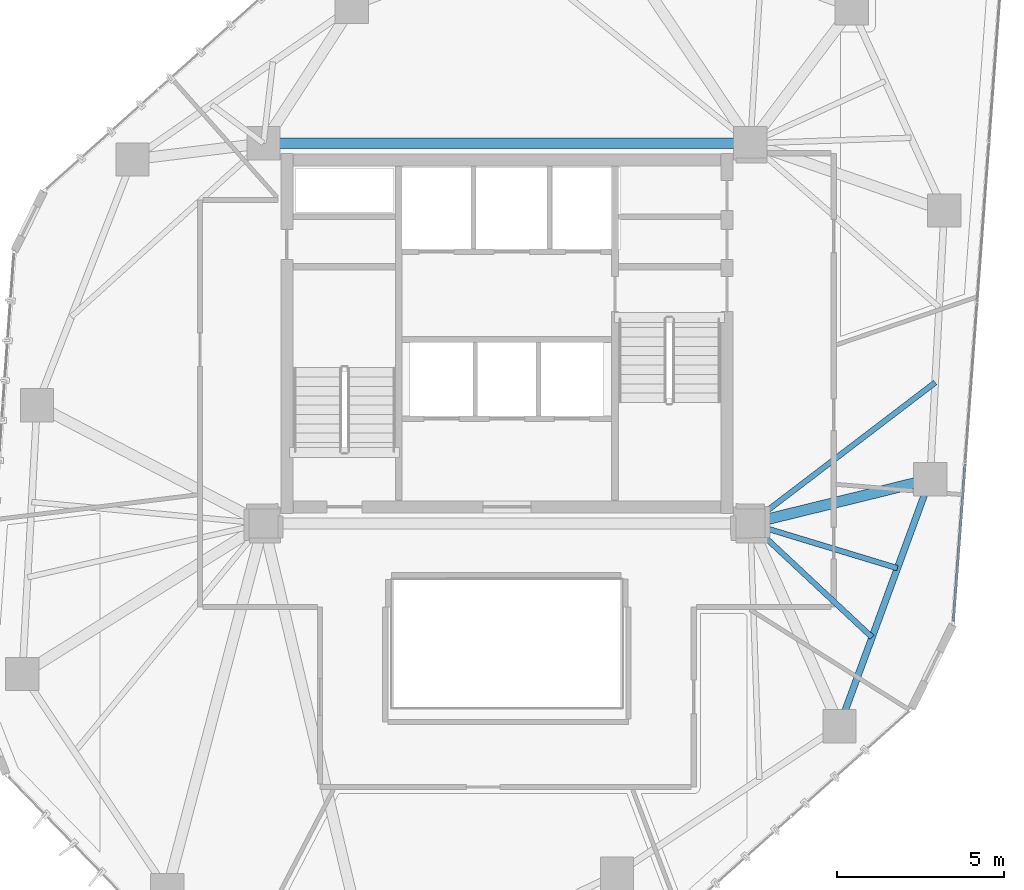
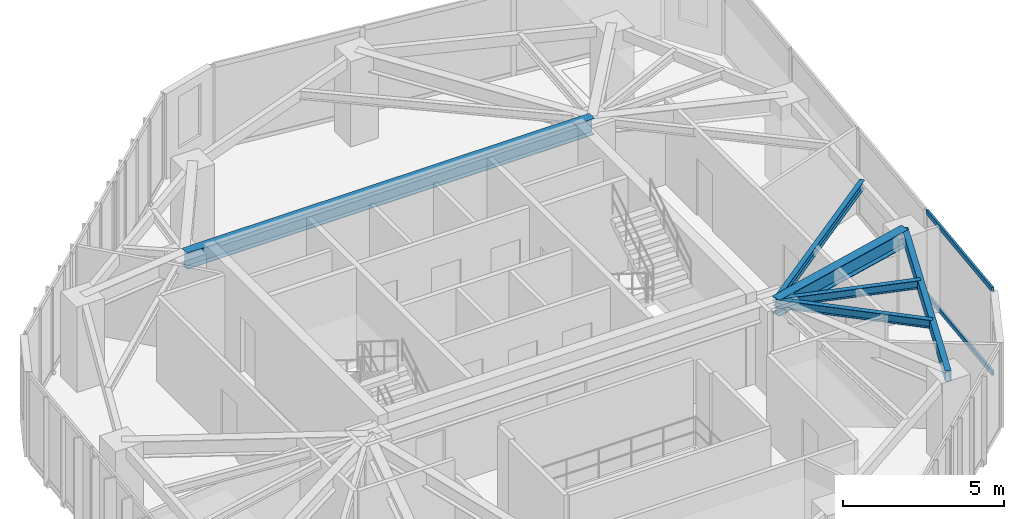
# One storey, part 10 of 20: 6 beams, 2 members, 1 element without a shape of its own.
"""IFC4 building model written with IfcOpenShell, lengths in metres."""

from ifc_helpers import new_model, si_unit, direction, frame, origin, origin_2d, place, context, subcontext, project, spatial, hollow_rectangle, i_section, extrude, source, transform, mapped, material, layer, layer_set, material_profile, profile_set, type_object, type_shapes, element, aggregate, save


model = new_model("IFC4")

# Units and contexts
model_context = context("Model", 3, precision=1e-05, world=origin(), true_north=direction((0.0, 1.0)))
body_context = subcontext(model_context, "Body", "Model", "MODEL_VIEW")
ifc_project = project(units=[si_unit("LENGTHUNIT", "METRE"), si_unit("AREAUNIT", "SQUARE_METRE"), si_unit("VOLUMEUNIT", "CUBIC_METRE"), si_unit("PLANEANGLEUNIT", "RADIAN"), si_unit("MASSUNIT", "GRAM", prefix="KILO")], contexts=[model_context])

# Site, building, storey
site_placement = place(None, origin())
site = spatial("IfcSite", under=ifc_project, at=site_placement, CompositionType="ELEMENT")
building_placement = place(site_placement, origin())
building = spatial("IfcBuilding", under=site, at=building_placement, Name="Talar Marvaseh", CompositionType="ELEMENT")
storey_placement = place(building_placement, frame((0.0, 0.0, 215.199951171875)))
storey = spatial("IfcBuildingStorey", under=building, at=storey_placement, Name="L56", CompositionType="ELEMENT", Elevation=215.199951171875)

# Beams
ifc_material_1 = material(Name="Steel S355", Category="steel")
ifc_material_profile_1 = material_profile(ifc_material_1, hollow_rectangle(XDim=0.199951171875, YDim=0.39990234375, WallThickness=0.013916015625, at=origin_2d()), Name="RHS400x200x14")
ifc_profile_set_1 = profile_set([ifc_material_profile_1], Name="Steel S355")
beam_type_1 = type_object("IfcBeamType", Name="Zone 3 Perimeter Spandrel Beam RHS400x200x14", PredefinedType="SPANDREL", material=ifc_profile_set_1)
beam_1_placement = place(storey_placement, frame((38.68896484375, 26.823974609375, 3.030029296875), z_axis=(-0.344742291376, -0.938697370049, 0.0), x_axis=(0.938697370049, -0.344742291376, 0.0)))
element("IfcBeam", 1, at=beam_1_placement, inside=storey, type_object=beam_type_1, Name="L56 Zone 3 Perimeter Spandrel Beam RHS400x200x14", PredefinedType="SPANDREL", context=body_context, shape_type="SweptSolid", body=[
    extrude(hollow_rectangle(XDim=0.199951171875, YDim=0.39990234375, WallThickness=0.013916015625, at=origin_2d()), origin(), (0.0, 0.0, 1.0), 7.88427734375),
])
ifc_material_profile_2 = material_profile(ifc_material_1, i_section(OverallWidth=0.324951171875, OverallDepth=0.615966796875, WebThickness=0.013916015625, FlangeThickness=0.021484375, at=origin_2d()), Name="W610x174")
ifc_profile_set_2 = profile_set([ifc_material_profile_2], Name="Steel S355")
beam_type_2 = type_object("IfcBeamType", Name="Zone 3 Radial Floor Girder W610x174", PredefinedType="BEAM", material=ifc_profile_set_2)
beam_2_placement = place(storey_placement, frame((18.699951171875, 36.89990234375, 2.922119140625), z_axis=(1.0, 0.0, 0.0), x_axis=(0.0, 1.0, 0.0)))
element("IfcBeam", 2, at=beam_2_placement, inside=storey, type_object=beam_type_2, Name="L56 Zone 3 Radial Floor Girder W610x174", PredefinedType="BEAM", context=body_context, shape_type="SweptSolid", body=[
    extrude(i_section(OverallWidth=0.324951171875, OverallDepth=0.615966796875, WebThickness=0.013916015625, FlangeThickness=0.021484375, at=origin_2d()), origin(), (0.0, 0.0, 1.0), 14.60009765625),
])
beam_3_placement = place(storey_placement, frame((38.68896484375, 26.823974609375, 2.922119140625), z_axis=(-0.971120507527, -0.238589521692, 0.0), x_axis=(0.238589521692, -0.971120507527, 0.0)))
element("IfcBeam", 3, at=beam_3_placement, inside=storey, type_object=beam_type_2, Name="L56 Zone 3 Radial Floor Girder W610x174", PredefinedType="BEAM", context=body_context, shape_type="SweptSolid", body=[
    extrude(i_section(OverallWidth=0.324951171875, OverallDepth=0.615966796875, WebThickness=0.013916015625, FlangeThickness=0.021484375, at=origin_2d()), origin(), (0.0, 0.0, 1.0), 5.549072265625),
])
ifc_material_profile_3 = material_profile(ifc_material_1, i_section(OverallWidth=0.166015625, OverallDepth=0.31298828125, WebThickness=0.006591796875, FlangeThickness=0.01123046875, at=origin_2d()), Name="W310x45")
ifc_profile_set_3 = profile_set([ifc_material_profile_3], Name="Steel S355")
beam_type_3 = type_object("IfcBeamType", Name="Zone 3 Secondary Floor Joist W310x45", PredefinedType="JOIST", material=ifc_profile_set_3)
beam_4_placement = place(storey_placement, frame((38.841552734375, 29.7255859375, 3.073486328125), z_axis=(-0.795190393297, -0.606359825852, 0.0), x_axis=(0.606359825852, -0.795190393297, 0.0)))
element("IfcBeam", 4, at=beam_4_placement, inside=storey, type_object=beam_type_3, Name="L56 Zone 3 Secondary Floor Joist W310x45", PredefinedType="JOIST", context=body_context, shape_type="SweptSolid", body=[
    extrude(i_section(OverallWidth=0.166015625, OverallDepth=0.31298828125, WebThickness=0.006591796875, FlangeThickness=0.01123046875, at=origin_2d()), origin(), (0.0, 0.0, 1.0), 6.96875),
])
beam_5_placement = place(storey_placement, frame((37.71044921875, 24.15966796875, 3.073486328125), z_axis=(-0.956792465721, 0.290771693153, 0.0), x_axis=(-0.290771693153, -0.956792465721, 0.0)))
element("IfcBeam", 5, at=beam_5_placement, inside=storey, type_object=beam_type_3, Name="L56 Zone 3 Secondary Floor Joist W310x45", PredefinedType="JOIST", context=body_context, shape_type="SweptSolid", body=[
    extrude(i_section(OverallWidth=0.166015625, OverallDepth=0.31298828125, WebThickness=0.006591796875, FlangeThickness=0.01123046875, at=origin_2d()), origin(), (0.0, 0.0, 1.0), 4.609619140625),
])
beam_6_placement = place(storey_placement, frame((36.949462890625, 22.08740234375, 3.073486328125), z_axis=(-0.730408226886, 0.683010850643, 0.0), x_axis=(-0.683010850643, -0.730408226886, 0.0)))
element("IfcBeam", 6, at=beam_6_placement, inside=storey, type_object=beam_type_3, Name="L56 Zone 3 Secondary Floor Joist W310x45", PredefinedType="JOIST", context=body_context, shape_type="SweptSolid", body=[
    extrude(i_section(OverallWidth=0.166015625, OverallDepth=0.31298828125, WebThickness=0.006591796875, FlangeThickness=0.01123046875, at=origin_2d()), origin(), (0.0, 0.0, 1.0), 4.996337890625),
])

# Curtain wall, members
ifc_material_2 = material(Name="Architectural Aluminium", Category="aluminium")
ifc_layer = layer(ifc_material_2, 0.18994140625)
ifc_layer_set = layer_set([ifc_layer], Name="Architectural Aluminium")
curtain_wall_type = type_object("IfcCurtainWallType", Name="Unitised Solar Atelier Curtain Wall Z3", PredefinedType="NOTDEFINED", material=ifc_layer_set)
curtain_wall_placement = place(storey_placement, origin())
curtain_wall = element("IfcCurtainWall", 7, at=curtain_wall_placement, inside=storey, type_object=curtain_wall_type, Name="L56 Unitised Solar Atelier Curtain Wall Z3", PredefinedType="NOTDEFINED")
ifc_material_profile_4 = material_profile(ifc_material_2, hollow_rectangle(XDim=0.074951171875, YDim=0.179931640625, WallThickness=0.0048828125, at=origin_2d()), Name="RHS180x75x5")
ifc_profile_set_4 = profile_set([ifc_material_profile_4], Name="Architectural Aluminium")
member_type = type_object("IfcMemberType", Name="Unitised Curtain Wall Transom RHS180x75x5", PredefinedType="USERDEFINED", material=ifc_profile_set_4)
shared_shape = source(origin(), body_context, "Body", "SweptSolid", [
    extrude(hollow_rectangle(XDim=0.074951171875, YDim=0.179931640625, WallThickness=0.0048828125, at=origin_2d()), origin(), (0.0, 0.0, 1.0), 4.70947265625),
])
type_shapes(member_type, [shared_shape])
member_1_placement = place(storey_placement, frame((39.73779296875, 27.266357421875, 0.03759765625), z_axis=(-0.07428604174, -0.997236974847, 0.0), x_axis=(0.997236974847, -0.07428604174, 0.0)))
member_1 = element("IfcMember", 8, at=member_1_placement, type_object=member_type, Name="CW-Z3 transom 4.1", ObjectType="TRANSOM", PredefinedType="USERDEFINED", context=body_context, shape_type="MappedRepresentation", body=[
    mapped(shared_shape, transform((0.0, 0.0, 0.0), x_axis=(1.0, 0.0, 0.0), y_axis=(0.0, 1.0, 0.0), z_axis=(0.0, 0.0, 1.0), scale=1.0)),
])
member_2_placement = place(storey_placement, frame((39.73779296875, 27.266357421875, 3.192626953125), z_axis=(-0.07428604174, -0.997236974847, 0.0), x_axis=(0.997236974847, -0.07428604174, 0.0)))
member_2 = element("IfcMember", 9, at=member_2_placement, type_object=member_type, Name="CW-Z3 transom 4.2", ObjectType="TRANSOM", PredefinedType="USERDEFINED", context=body_context, shape_type="MappedRepresentation", body=[
    mapped(shared_shape, transform((0.0, 0.0, 0.0), x_axis=(1.0, 0.0, 0.0), y_axis=(0.0, 1.0, 0.0), z_axis=(0.0, 0.0, 1.0), scale=1.0)),
])
aggregate(curtain_wall, [member_1, member_2])

save(model, "model.ifc")
